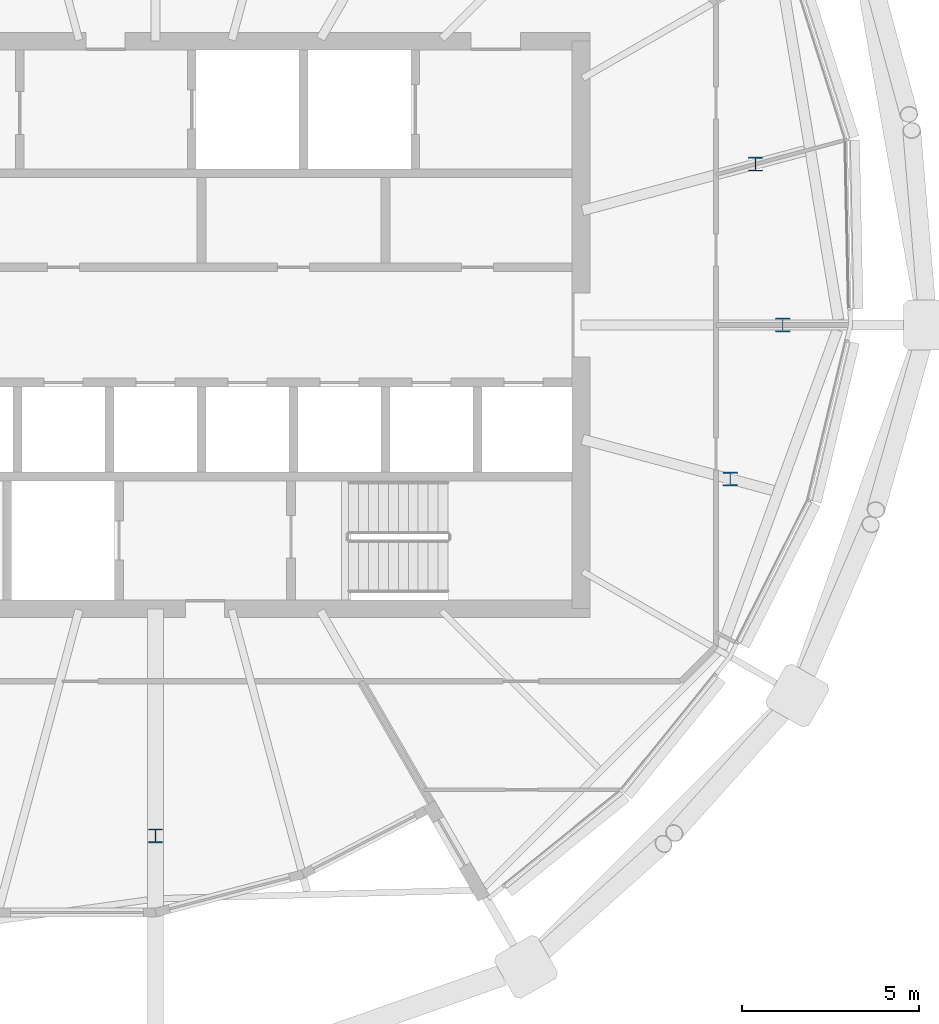
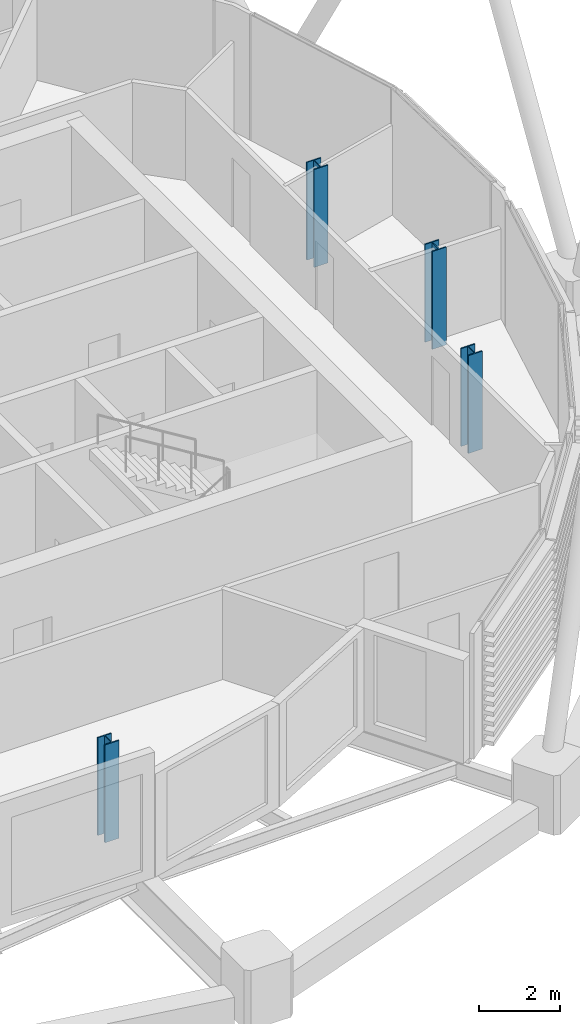
# One storey, part 2 of 34: 4 columns.
"""IFC4 building model written with IfcOpenShell, lengths in metres."""

from ifc_helpers import new_model, si_unit, direction, frame, origin, origin_2d, place, context, subcontext, project, spatial, i_section, extrude, material, material_profile, profile_set, type_object, element, save


model = new_model("IFC4")

# Units and contexts
model_context = context("Model", 3, precision=1e-05, world=origin(), true_north=direction((0.0, 1.0)))
body_context = subcontext(model_context, "Body", "Model", "MODEL_VIEW")
ifc_project = project(units=[si_unit("LENGTHUNIT", "METRE"), si_unit("AREAUNIT", "SQUARE_METRE"), si_unit("VOLUMEUNIT", "CUBIC_METRE"), si_unit("PLANEANGLEUNIT", "RADIAN"), si_unit("MASSUNIT", "GRAM", prefix="KILO")], contexts=[model_context])

# Site, building, storey
site_placement = place(None, origin())
site = spatial("IfcSite", under=ifc_project, at=site_placement, CompositionType="ELEMENT")
building_placement = place(site_placement, origin())
building = spatial("IfcBuilding", under=site, at=building_placement, Name="Rimbun Link Towers", CompositionType="ELEMENT")
storey_placement = place(building_placement, frame((0.0, 0.0, 221.89990234375)))
storey = spatial("IfcBuildingStorey", under=building, at=storey_placement, Name="L54", CompositionType="ELEMENT", Elevation=221.89990234375)

# Columns
ifc_material = material(Name="Steel S355J2", Category="steel")
ifc_material_profile = material_profile(ifc_material, i_section(OverallWidth=0.39892578125, OverallDepth=0.3935546875, WebThickness=0.022705078125, FlangeThickness=0.03662109375, at=origin_2d()), Name="UC 356x406x287")
ifc_profile_set = profile_set([ifc_material_profile], Name="Steel S355J2")
column_type = type_object("IfcColumnType", Name="UC 356x406x287", PredefinedType="COLUMN", material=ifc_profile_set)
for number, where, z_axis, x_axis, name in (
    (1, (31.75, -14.4033203125, -0.139892578125), (0.0, 0.0, 1.0), (1.0, 0.0, 0.0), "Crease post T2 L54 15"),
    (2, (47.955810546875, -4.34228515625, -0.139892578125), (0.0, 0.0, 1.0), (1.0, 0.0, 0.0), "Crease post T2 L54 20"),
    (3, (49.434326171875, 0.0, -0.139892578125), (0.0, 0.0, 1.0), (1.0, 0.0, 0.0), "Crease post T2 L54 21"),
    (4, (48.669189453125, 4.533447265625, -0.139892578125), (0.0, 0.0, 1.0), (1.0, 0.0, 0.0), "Crease post T2 L54 22"),
):
    element("IfcColumn", number, at=place(storey_placement, frame(where, z_axis=z_axis, x_axis=x_axis)), inside=storey, type_object=column_type, Name=name, PredefinedType="COLUMN", context=body_context, shape_type="SweptSolid", body=[
        extrude(i_section(OverallWidth=0.39892578125, OverallDepth=0.3935546875, WebThickness=0.022705078125, FlangeThickness=0.03662109375, at=origin_2d()), origin(), (0.0, 0.0, 1.0), 2.959228515625),
    ])

save(model, "model.ifc")
